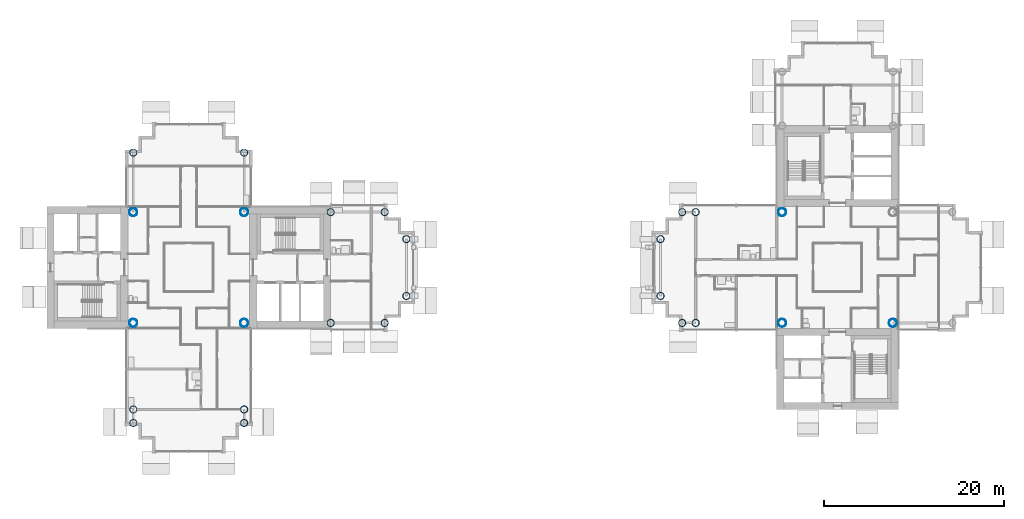
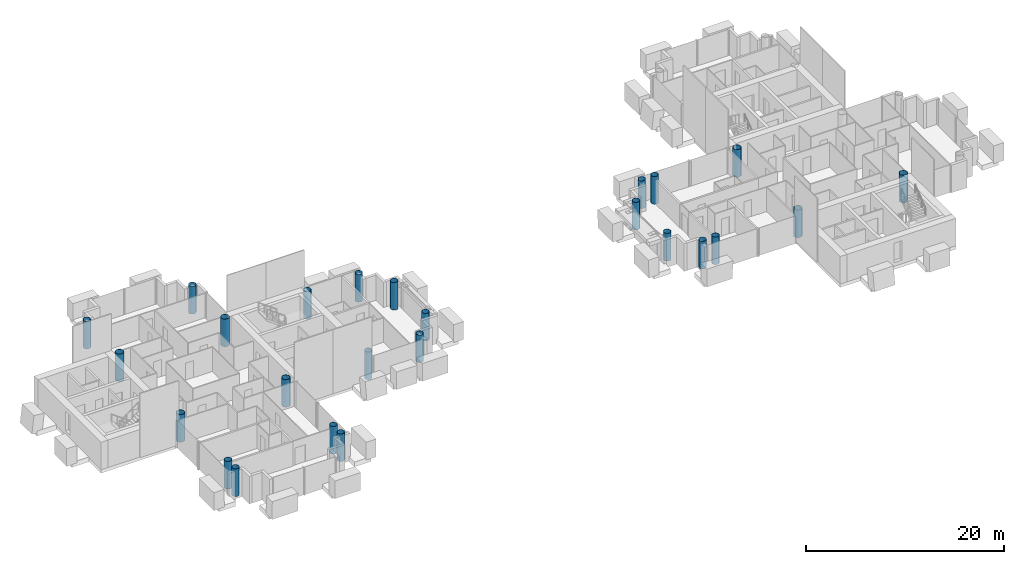
# One storey, part 1 of 18: 25 columns.
"""IFC4 building model written with IfcOpenShell, lengths in metres."""

from ifc_helpers import new_model, si_unit, direction, frame, origin, origin_2d, place, context, subcontext, project, spatial, hollow_circle, extrude, material, material_profile, profile_set, type_object, element, save


model = new_model("IFC4")

# Units and contexts
model_context = context("Model", 3, precision=1e-05, world=origin(), true_north=direction((0.0, 1.0)))
body_context = subcontext(model_context, "Body", "Model", "MODEL_VIEW")
ifc_project = project(units=[si_unit("LENGTHUNIT", "METRE"), si_unit("AREAUNIT", "SQUARE_METRE"), si_unit("VOLUMEUNIT", "CUBIC_METRE"), si_unit("PLANEANGLEUNIT", "RADIAN"), si_unit("MASSUNIT", "GRAM", prefix="KILO")], contexts=[model_context])

# Site, building, storey
site_placement = place(None, origin())
site = spatial("IfcSite", under=ifc_project, at=site_placement, CompositionType="ELEMENT")
building_placement = place(site_placement, origin())
building = spatial("IfcBuilding", under=site, at=building_placement, Name="Ipe Terrace Towers", CompositionType="ELEMENT")
storey_placement = place(building_placement, frame((0.0, 0.0, 177.89990234375)))
storey = spatial("IfcBuildingStorey", under=building, at=storey_placement, Name="L49", CompositionType="ELEMENT", Elevation=177.89990234375)

# Columns
ifc_material_1 = material(Name="Steel S355 tube with Concrete C60/75 fill", Category="concrete")
ifc_material_profile_1 = material_profile(ifc_material_1, hollow_circle(Radius=0.39990234375, WallThickness=0.028076171875, at=origin_2d()), Name="CHS-800x28")
ifc_profile_set_1 = profile_set([ifc_material_profile_1], Name="Steel S355 tube with Concrete C60/75 fill")
column_type_1 = type_object("IfcColumnType", Name="CH09 COLUMN CHS-800x28", PredefinedType="COLUMN", material=ifc_profile_set_1)
for number, where, z_axis, x_axis, name in (
    (1, (-20.25, -6.14990234375, 0.0), (0.0, 0.0, 1.0), (1.0, 0.0, 0.0), "Column T1-C-A01"),
    (2, (-20.25, 6.14990234375, 0.0), (0.0, 0.0, 1.0), (1.0, 0.0, 0.0), "Column T1-C-A02"),
    (3, (-14.25, -6.14990234375, 0.0), (0.0, 0.0, 1.0), (1.0, 0.0, 0.0), "Column T1-C-A03"),
    (4, (-14.25, 6.14990234375, 0.0), (0.0, 0.0, 1.0), (1.0, 0.0, 0.0), "Column T1-C-A04"),
    (5, (-11.85009765625, -3.14990234375, 0.0), (0.0, 0.0, 1.0), (1.0, 0.0, 0.0), "Column T1-C-A05"),
    (6, (-11.85009765625, 3.14990234375, 0.0), (0.0, 0.0, 1.0), (1.0, 0.0, 0.0), "Column T1-C-A06"),
    (7, (-29.85009765625, 12.75, 0.0), (0.0, 0.0, 1.0), (1.0, 0.0, 0.0), "Column T1-C-B01"),
    (8, (-42.14990234375, 12.75, 0.0), (0.0, 0.0, 1.0), (1.0, 0.0, 0.0), "Column T1-C-B02"),
    (9, (-42.14990234375, -15.75, 0.0), (0.0, 0.0, 1.0), (1.0, 0.0, 0.0), "Column T1-C-D03"),
    (10, (-29.85009765625, -15.75, 0.0), (0.0, 0.0, 1.0), (1.0, 0.0, 0.0), "Column T1-C-D04"),
    (11, (-42.14990234375, -17.25, 0.0), (0.0, 0.0, 1.0), (1.0, 0.0, 0.0), "Column T1-C-D05"),
    (12, (-29.85009765625, -17.25, 0.0), (0.0, 0.0, 1.0), (1.0, 0.0, 0.0), "Column T1-C-D06"),
    (13, (20.25, 6.14990234375, 0.0), (0.0, 0.0, 1.0), (1.0, 0.0, 0.0), "Column T2-C-B03"),
    (14, (20.25, -6.14990234375, 0.0), (0.0, 0.0, 1.0), (1.0, 0.0, 0.0), "Column T2-C-B04"),
    (15, (18.75, 6.14990234375, 0.0), (0.0, 0.0, 1.0), (1.0, 0.0, 0.0), "Column T2-C-B05"),
    (16, (18.75, -6.14990234375, 0.0), (0.0, 0.0, 1.0), (1.0, 0.0, 0.0), "Column T2-C-B06"),
    (17, (16.35009765625, 3.14990234375, 0.0), (0.0, 0.0, 1.0), (1.0, 0.0, 0.0), "Column T2-C-B07"),
    (18, (16.35009765625, -3.14990234375, 0.0), (0.0, 0.0, 1.0), (1.0, 0.0, 0.0), "Column T2-C-B08"),
):
    element("IfcColumn", number, at=place(storey_placement, frame(where, z_axis=z_axis, x_axis=x_axis)), inside=storey, type_object=column_type_1, Name=name, PredefinedType="COLUMN", context=body_context, shape_type="SweptSolid", body=[
        extrude(hollow_circle(Radius=0.39990234375, WallThickness=0.028076171875, at=origin_2d()), origin(), (0.0, 0.0, 1.0), 3.400146484375),
    ])
ifc_material_2 = material(Name="Steel S355 tube with Concrete C60/75 fill", Category="concrete")
ifc_material_profile_2 = material_profile(ifc_material_2, hollow_circle(Radius=0.449951171875, WallThickness=0.031982421875, at=origin_2d()), Name="CHS-900x32")
ifc_profile_set_2 = profile_set([ifc_material_profile_2], Name="Steel S355 tube with Concrete C60/75 fill")
column_type_2 = type_object("IfcColumnType", Name="CH10 COLUMN CHS-900x32", PredefinedType="COLUMN", material=ifc_profile_set_2)
for number, where, z_axis, x_axis, name in (
    (19, (-42.14990234375, -6.14990234375, 0.0), (0.0, 0.0, 1.0), (1.0, 0.0, 0.0), "Column T1-C-E01"),
    (20, (-29.85009765625, -6.14990234375, 0.0), (0.0, 0.0, 1.0), (1.0, 0.0, 0.0), "Column T1-C-E02"),
    (21, (-29.85009765625, 6.14990234375, 0.0), (0.0, 0.0, 1.0), (1.0, 0.0, 0.0), "Column T1-C-E03"),
    (22, (-42.14990234375, 6.14990234375, 0.0), (0.0, 0.0, 1.0), (1.0, 0.0, 0.0), "Column T1-C-E04"),
    (23, (42.14990234375, -6.14990234375, 0.0), (0.0, 0.0, 1.0), (1.0, 0.0, 0.0), "Column T2-C-E01"),
    (24, (29.85009765625, 6.14990234375, 0.0), (0.0, 0.0, 1.0), (1.0, 0.0, 0.0), "Column T2-C-E03"),
    (25, (29.85009765625, -6.14990234375, 0.0), (0.0, 0.0, 1.0), (1.0, 0.0, 0.0), "Column T2-C-E04"),
):
    element("IfcColumn", number, at=place(storey_placement, frame(where, z_axis=z_axis, x_axis=x_axis)), inside=storey, type_object=column_type_2, Name=name, PredefinedType="COLUMN", context=body_context, shape_type="SweptSolid", body=[
        extrude(hollow_circle(Radius=0.449951171875, WallThickness=0.031982421875, at=origin_2d()), origin(), (0.0, 0.0, 1.0), 3.400146484375),
    ])

save(model, "model.ifc")
